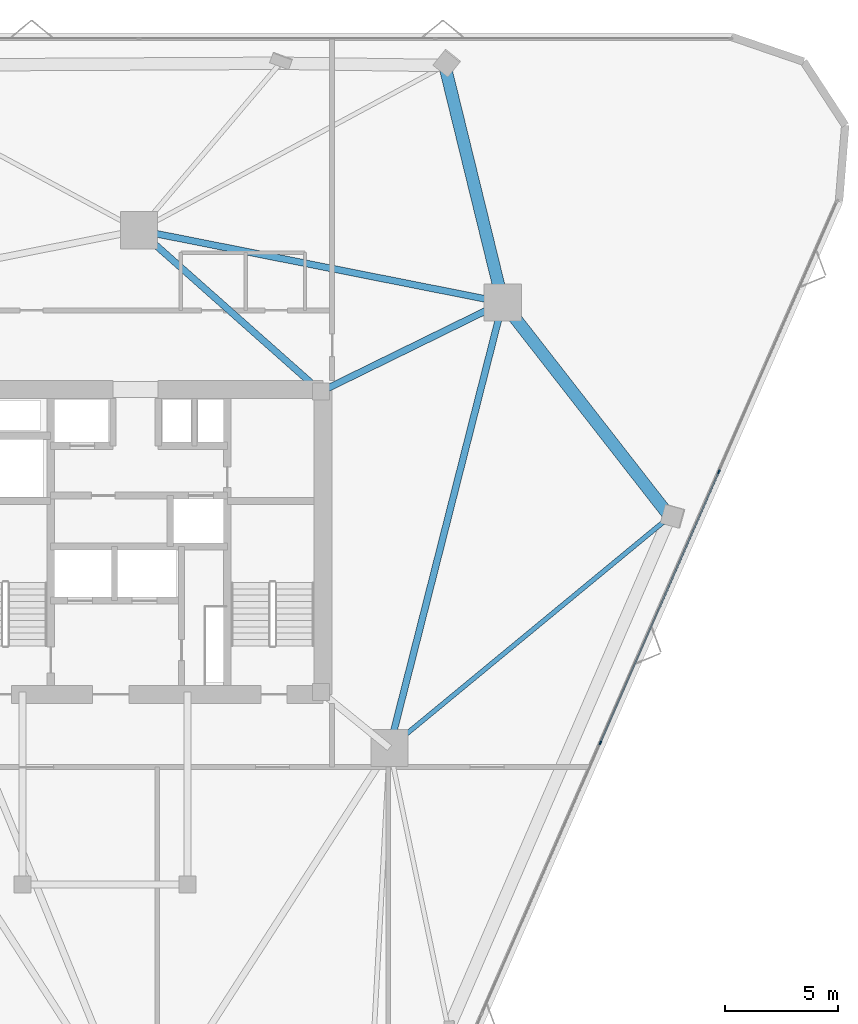
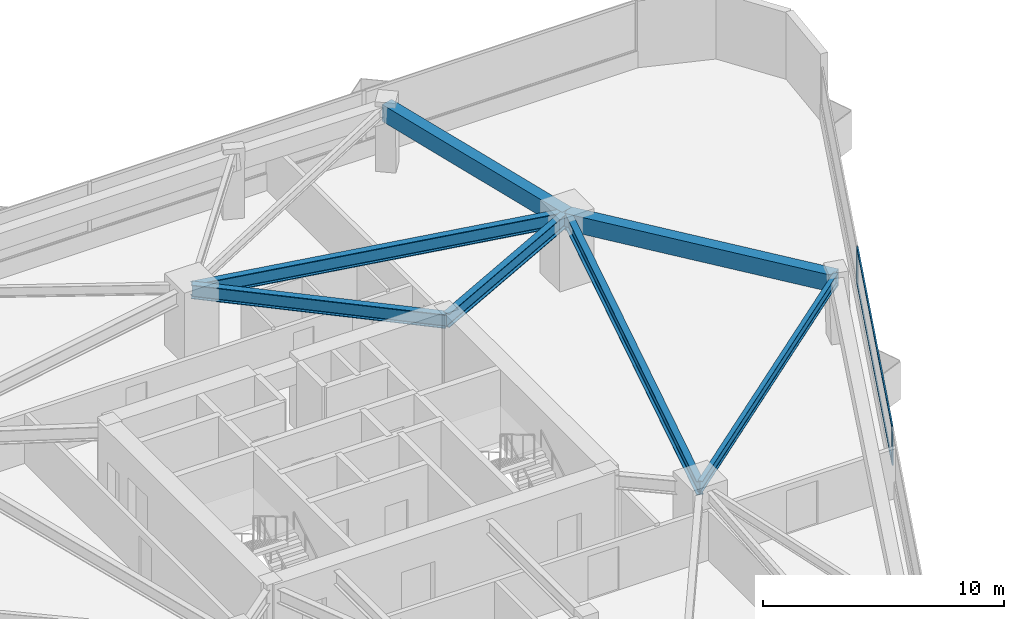
# One storey, part 8 of 17: 7 beams, 4 members, 1 element without a shape of its own.
"""IFC4 building model written with IfcOpenShell, lengths in metres."""

from ifc_helpers import new_model, si_unit, direction, frame, origin, origin_2d, place, context, subcontext, project, spatial, rectangle, i_section, extrude, material, layer, layer_set, material_profile, profile_set, type_object, element, aggregate, save


model = new_model("IFC4")

# Units and contexts
model_context = context("Model", 3, precision=1e-05, world=origin(), true_north=direction((0.0, 1.0)))
body_context = subcontext(model_context, "Body", "Model", "MODEL_VIEW")
ifc_project = project(units=[si_unit("LENGTHUNIT", "METRE"), si_unit("AREAUNIT", "SQUARE_METRE"), si_unit("VOLUMEUNIT", "CUBIC_METRE"), si_unit("PLANEANGLEUNIT", "RADIAN"), si_unit("MASSUNIT", "GRAM", prefix="KILO")], contexts=[model_context])

# Site, building, storey
site_placement = place(None, origin())
site = spatial("IfcSite", under=ifc_project, at=site_placement, CompositionType="ELEMENT")
building_placement = place(site_placement, origin())
building = spatial("IfcBuilding", under=site, at=building_placement, Name="Talyreon Biosciences Tower", CompositionType="ELEMENT")
storey_placement = place(building_placement, frame((0.0, 0.0, 93.25)))
storey = spatial("IfcBuildingStorey", under=building, at=storey_placement, Name="L24", CompositionType="ELEMENT", Elevation=93.25)

# Curtain wall, members
ifc_material_1 = material(Name="Thermally broken aluminium and low-E glazing", Category="aluminium")
ifc_layer = layer(ifc_material_1, 0.18994140625)
ifc_layer_set = layer_set([ifc_layer], Name="Thermally broken aluminium and low-E glazing")
curtain_wall_type = type_object("IfcCurtainWallType", Name="CurtainWall_Zone2Genomics", PredefinedType="NOTDEFINED", material=ifc_layer_set)
curtain_wall_placement = place(storey_placement, origin())
curtain_wall = element("IfcCurtainWall", 1, at=curtain_wall_placement, inside=storey, type_object=curtain_wall_type, Name="L24 Unitised Curtain Wall FCW-L24-08", PredefinedType="NOTDEFINED")
ifc_material_2 = material(Name="Anodised thermally broken aluminium", Category="aluminium")
ifc_material_profile_1 = material_profile(ifc_material_2, rectangle(XDim=0.06494140625, YDim=0.179931640625, at=origin_2d()), Name="ALUM MULLION 65x180")
ifc_profile_set_1 = profile_set([ifc_material_profile_1], Name="Anodised thermally broken aluminium")
member_type_1 = type_object("IfcMemberType", Name="CWMullion_65x180", PredefinedType="MULLION", material=ifc_profile_set_1)
member_1_placement = place(storey_placement, frame((91.666748046875, 71.106689453125, 0.81005859375), z_axis=(0.0, 0.0, 1.0), x_axis=(0.916278218967, -0.400542414041, 0.0)))
member_1 = element("IfcMember", 2, at=member_1_placement, type_object=member_type_1, Name="CW3 mullion 2", PredefinedType="MULLION", context=body_context, shape_type="SweptSolid", body=[
    extrude(rectangle(XDim=0.06494140625, YDim=0.179931640625, at=origin_2d()), origin(), (0.0, 0.0, 1.0), 1.889892578125),
])
member_2_placement = place(storey_placement, frame((86.4228515625, 59.11083984375, 0.81005859375), z_axis=(0.0, 0.0, 1.0), x_axis=(0.916278218967, -0.400542414041, 0.0)))
member_2 = element("IfcMember", 3, at=member_2_placement, type_object=member_type_1, Name="CW3 mullion 3", PredefinedType="MULLION", context=body_context, shape_type="SweptSolid", body=[
    extrude(rectangle(XDim=0.06494140625, YDim=0.179931640625, at=origin_2d()), origin(), (0.0, 0.0, 1.0), 1.889892578125),
])
ifc_material_profile_2 = material_profile(ifc_material_2, rectangle(XDim=0.06494140625, YDim=0.139892578125, at=origin_2d()), Name="ALUM TRANSOM 65x140")
ifc_profile_set_2 = profile_set([ifc_material_profile_2], Name="Anodised thermally broken aluminium")
member_type_2 = type_object("IfcMemberType", Name="CWTransom_65x140", PredefinedType="USERDEFINED", material=ifc_profile_set_2)
member_3_placement = place(storey_placement, frame((91.65380859375, 71.076904296875, 0.842529296875), z_axis=(-0.400554352205, -0.916273000218, 0.0), x_axis=(0.916273000218, -0.400554352205, 0.0)))
member_3 = element("IfcMember", 4, at=member_3_placement, type_object=member_type_2, Name="CW3 transom 2.1", ObjectType="TRANSOM", PredefinedType="USERDEFINED", context=body_context, shape_type="SweptSolid", body=[
    extrude(rectangle(XDim=0.06494140625, YDim=0.139892578125, at=origin_2d()), origin(), (0.0, 0.0, 1.0), 13.027099609375),
])
member_4_placement = place(storey_placement, frame((91.65380859375, 71.076904296875, 2.66748046875), z_axis=(-0.400554352205, -0.916273000218, 0.0), x_axis=(0.916273000218, -0.400554352205, 0.0)))
member_4 = element("IfcMember", 5, at=member_4_placement, type_object=member_type_2, Name="CW3 transom 2.2", ObjectType="TRANSOM", PredefinedType="USERDEFINED", context=body_context, shape_type="SweptSolid", body=[
    extrude(rectangle(XDim=0.06494140625, YDim=0.139892578125, at=origin_2d()), origin(), (0.0, 0.0, 1.0), 13.027099609375),
])
aggregate(curtain_wall, [member_1, member_2, member_3, member_4])

# Beams
ifc_material_3 = material(Name="Precast concrete C45/55", Category="concrete")
ifc_material_profile_3 = material_profile(ifc_material_3, rectangle(XDim=0.550048828125, YDim=0.85009765625, at=origin_2d()), Name="RCB 550x850")
ifc_profile_set_3 = profile_set([ifc_material_profile_3], Name="Precast concrete C45/55")
beam_type_1 = type_object("IfcBeamType", Name="ExpressedSpandrel_550x850", PredefinedType="SPANDREL", material=ifc_profile_set_3)
beam_1_placement = place(storey_placement, frame((89.494384765625, 69.115478515625, 2.949951171875), z_axis=(-0.614785092745, 0.788694674598, 0.0), x_axis=(-0.788694674598, -0.614785092745, 0.0)))
element("IfcBeam", 6, at=beam_1_placement, inside=storey, type_object=beam_type_1, Name="L24 Expressed Horizontal Concrete Spandrel 04", PredefinedType="SPANDREL", context=body_context, shape_type="SweptSolid", body=[
    extrude(rectangle(XDim=0.550048828125, YDim=0.85009765625, at=origin_2d()), origin(), (0.0, 0.0, 1.0), 12.02392578125),
])
beam_2_placement = place(storey_placement, frame((82.102294921875, 78.5986328125, 2.949951171875), z_axis=(-0.237800783278, 0.971313948974, 0.0), x_axis=(-0.971313948974, -0.237800783278, 0.0)))
element("IfcBeam", 7, at=beam_2_placement, inside=storey, type_object=beam_type_1, Name="L24 Expressed Horizontal Concrete Spandrel 05", PredefinedType="SPANDREL", context=body_context, shape_type="SweptSolid", body=[
    extrude(rectangle(XDim=0.550048828125, YDim=0.85009765625, at=origin_2d()), origin(), (0.0, 0.0, 1.0), 10.792236328125),
])
ifc_material_4 = material(Name="Steel SM355", Category="steel")
ifc_material_profile_4 = material_profile(ifc_material_4, i_section(OverallWidth=0.300048828125, OverallDepth=0.699951171875, WebThickness=0.01708984375, FlangeThickness=0.031982421875, FilletRadius=0.027099609375, at=origin_2d()), Name="HE700B")
ifc_profile_set_4 = profile_set([ifc_material_profile_4], Name="Steel SM355")
beam_type_2 = type_object("IfcBeamType", Name="SteelGirder_HE700B", PredefinedType="BEAM", material=ifc_profile_set_4)
beam_3_placement = place(storey_placement, frame((77.086181640625, 58.88037109375, 3.02490234375), z_axis=(0.246537082299, 0.969133358755, 0.0), x_axis=(-0.969133358755, 0.246537082299, 0.0)))
element("IfcBeam", 8, at=beam_3_placement, inside=storey, type_object=beam_type_2, Name="L24 Mega-Ring Girder 2", PredefinedType="BEAM", context=body_context, shape_type="SweptSolid", body=[
    extrude(i_section(OverallWidth=0.300048828125, OverallDepth=0.699951171875, WebThickness=0.01708984375, FlangeThickness=0.031982421875, FilletRadius=0.027099609375, at=origin_2d()), origin(), (0.0, 0.0, 1.0), 20.34619140625),
])
beam_4_placement = place(storey_placement, frame((82.102294921875, 78.5986328125, 3.02490234375), z_axis=(-0.980933730698, 0.194342522311, 0.0), x_axis=(-0.194342522311, -0.980933730698, 0.0)))
element("IfcBeam", 9, at=beam_4_placement, inside=storey, type_object=beam_type_2, Name="L24 Mega-Ring Girder 3", PredefinedType="BEAM", context=body_context, shape_type="SweptSolid", body=[
    extrude(i_section(OverallWidth=0.300048828125, OverallDepth=0.699951171875, WebThickness=0.01708984375, FlangeThickness=0.031982421875, FilletRadius=0.027099609375, at=origin_2d()), origin(), (0.0, 0.0, 1.0), 16.415283203125),
])
beam_5_placement = place(storey_placement, frame((74.050048828125, 74.64990234375, 3.02490234375), z_axis=(0.897852360314, 0.440296648952, 0.0), x_axis=(-0.440296648952, 0.897852360314, 0.0)))
element("IfcBeam", 10, at=beam_5_placement, inside=storey, type_object=beam_type_2, Name="L24 Radial Primary Girder 3", PredefinedType="BEAM", context=body_context, shape_type="SweptSolid", body=[
    extrude(i_section(OverallWidth=0.300048828125, OverallDepth=0.699951171875, WebThickness=0.01708984375, FlangeThickness=0.031982421875, FilletRadius=0.027099609375, at=origin_2d()), origin(), (0.0, 0.0, 1.0), 8.96826171875),
])
beam_6_placement = place(storey_placement, frame((74.050048828125, 74.64990234375, 3.02490234375), z_axis=(-0.748178733955, 0.663497235908, 0.0), x_axis=(-0.663497235908, -0.748178733955, 0.0)))
element("IfcBeam", 11, at=beam_6_placement, inside=storey, type_object=beam_type_2, Name="L24 Radial Primary Girder 4", PredefinedType="BEAM", context=body_context, shape_type="SweptSolid", body=[
    extrude(i_section(OverallWidth=0.300048828125, OverallDepth=0.699951171875, WebThickness=0.01708984375, FlangeThickness=0.031982421875, FilletRadius=0.027099609375, at=origin_2d()), origin(), (0.0, 0.0, 1.0), 10.759521484375),
])
ifc_material_profile_5 = material_profile(ifc_material_4, i_section(OverallWidth=0.2099609375, OverallDepth=0.550048828125, WebThickness=0.010986328125, FlangeThickness=0.01708984375, FilletRadius=0.02392578125, at=origin_2d()), Name="IPE550")
ifc_profile_set_5 = profile_set([ifc_material_profile_5], Name="Steel SM355")
beam_type_3 = type_object("IfcBeamType", Name="SteelJoist_IPE550", PredefinedType="JOIST", material=ifc_profile_set_5)
beam_7_placement = place(storey_placement, frame((77.086181640625, 58.88037109375, 3.10009765625), z_axis=(0.77142394206, 0.636321539489, 0.0), x_axis=(-0.636321539489, 0.77142394206, 0.0)))
element("IfcBeam", 12, at=beam_7_placement, inside=storey, type_object=beam_type_3, Name="L24 Radial Composite Floor Joist PC-SE2", PredefinedType="JOIST", context=body_context, shape_type="SweptSolid", body=[
    extrude(i_section(OverallWidth=0.2099609375, OverallDepth=0.550048828125, WebThickness=0.010986328125, FlangeThickness=0.01708984375, FilletRadius=0.02392578125, at=origin_2d()), origin(), (0.0, 0.0, 1.0), 16.084716796875),
])

save(model, "model.ifc")
